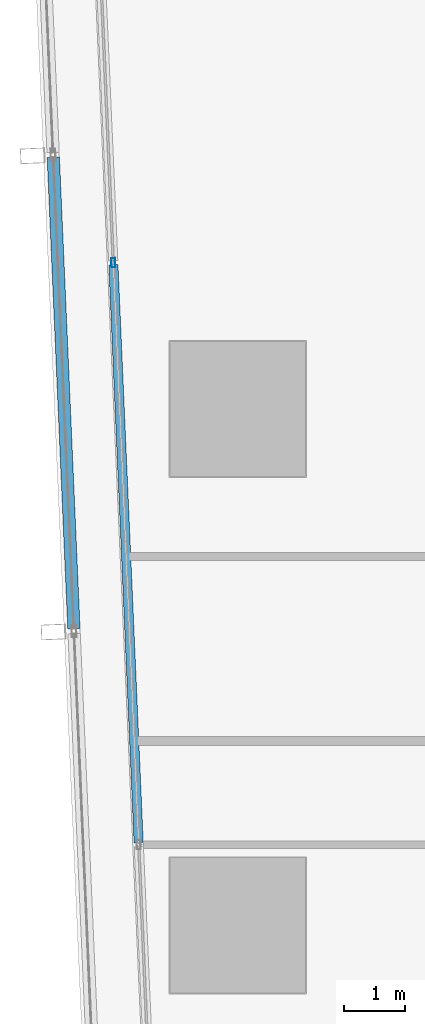
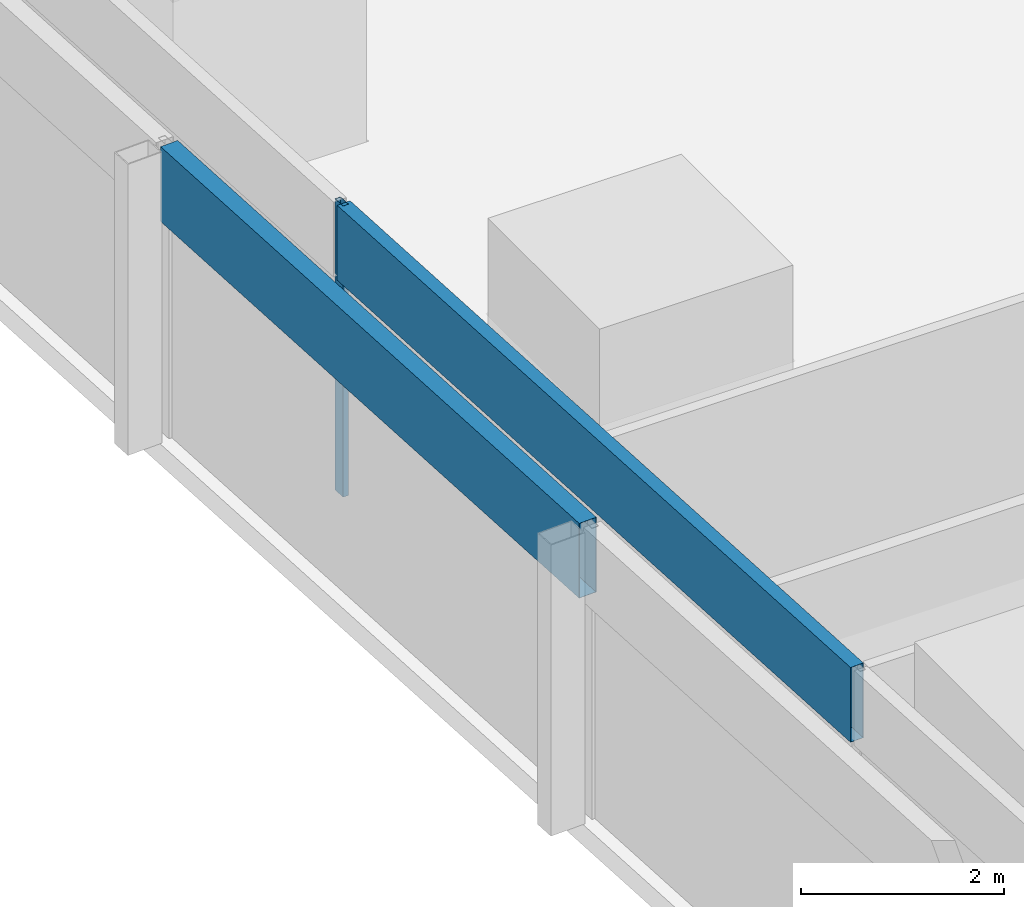
# One storey, part 8 of 44: 3 members, 2 elements without a shape of their own.
"""IFC4 building model written with IfcOpenShell, lengths in metres."""

from ifc_helpers import new_model, si_unit, direction, frame, origin, origin_2d, place, context, subcontext, project, spatial, hollow_rectangle, extrude, material, material_profile, profile_set, type_object, element, aggregate, save


model = new_model("IFC4")

# Units and contexts
model_context = context("Model", 3, precision=1e-05, world=origin(), true_north=direction((0.0, 1.0)))
body_context = subcontext(model_context, "Body", "Model", "MODEL_VIEW")
ifc_project = project(units=[si_unit("LENGTHUNIT", "METRE"), si_unit("AREAUNIT", "SQUARE_METRE"), si_unit("VOLUMEUNIT", "CUBIC_METRE"), si_unit("PLANEANGLEUNIT", "RADIAN"), si_unit("MASSUNIT", "GRAM", prefix="KILO")], contexts=[model_context])

# Site, building, storey
site_placement = place(None, origin())
site = spatial("IfcSite", under=ifc_project, at=site_placement, CompositionType="ELEMENT")
building_placement = place(site_placement, origin())
building = spatial("IfcBuilding", under=site, at=building_placement, Name="Rekha Terrace Tower", CompositionType="ELEMENT")
storey_placement = place(building_placement, frame((0.0, 0.0, 66.64990234375)))
storey = spatial("IfcBuildingStorey", under=building, at=storey_placement, Name="L16", CompositionType="ELEMENT", Elevation=66.64990234375)

# Curtain wall, members
ifc_material_1 = material(Name="Aluminium framing", Category="aluminium")
curtain_wall_type_1 = type_object("IfcCurtainWallType", Name="CW1 double skin inner glazing", PredefinedType="USERDEFINED", material=ifc_material_1)
curtain_wall_1_placement = place(storey_placement, origin())
curtain_wall_1 = element("IfcCurtainWall", 1, at=curtain_wall_1_placement, inside=storey, type_object=curtain_wall_type_1, Name="CW1 double skin inner glazing", ObjectType="DOUBLE SKIN INNER GLAZING", PredefinedType="USERDEFINED")
ifc_material_2 = material(Name="Aluminium mullion section", Category="aluminium")
ifc_material_profile_1 = material_profile(ifc_material_2, hollow_rectangle(XDim=0.06494140625, YDim=0.14990234375, WallThickness=0.00390625, at=origin_2d()), Name="AL RHS 65x150")
ifc_profile_set_1 = profile_set([ifc_material_profile_1], Name="Aluminium mullion section")
member_type_1 = type_object("IfcMemberType", Name="CW1 mullion RHS 65 x 150", PredefinedType="MULLION", material=ifc_profile_set_1)
member_1_placement = place(storey_placement, frame((6.37646484375, 35.978271484375, 0.0), z_axis=(0.0, 0.0, 1.0), x_axis=(0.999045462133, 0.043682543337, 0.0)))
member_1 = element("IfcMember", 2, at=member_1_placement, type_object=member_type_1, Name="CW1 mullion 2", PredefinedType="MULLION", context=body_context, shape_type="SweptSolid", body=[
    extrude(hollow_rectangle(XDim=0.06494140625, YDim=0.14990234375, WallThickness=0.00390625, at=origin_2d()), origin(), (0.0, 0.0, 1.0), 3.5),
])
ifc_material_3 = material(Name="Insulated aluminium spandrel box", Category="aluminium")
ifc_material_profile_2 = material_profile(ifc_material_3, hollow_rectangle(XDim=0.14990234375, YDim=0.89990234375, WallThickness=0.0029296875, at=origin_2d()), Name="AL SPANDREL BOX 150x900")
ifc_profile_set_2 = profile_set([ifc_material_profile_2], Name="Insulated aluminium spandrel box")
member_type_2 = type_object("IfcMemberType", Name="CW1 spandrel transom 150 x 900", PredefinedType="USERDEFINED", material=ifc_profile_set_2)
member_2_placement = place(storey_placement, frame((6.3779296875, 35.94580078125, 3.050048828125), z_axis=(0.043666917606, -0.999046145234, 0.0), x_axis=(0.999046145234, 0.043666917606, 0.0)))
member_2 = element("IfcMember", 3, at=member_2_placement, type_object=member_type_2, Name="CW1 spandrel transom 2", ObjectType="TRANSOM", PredefinedType="USERDEFINED", context=body_context, shape_type="SweptSolid", body=[
    extrude(hollow_rectangle(XDim=0.14990234375, YDim=0.89990234375, WallThickness=0.0029296875, at=origin_2d()), origin(), (0.0, 0.0, 1.0), 9.40966796875),
])
aggregate(curtain_wall_1, [member_1, member_2])

# Curtain wall, member
curtain_wall_type_2 = type_object("IfcCurtainWallType", Name="CW2 double skin outer glazing", PredefinedType="USERDEFINED", material=ifc_material_1)
curtain_wall_2_placement = place(storey_placement, origin())
curtain_wall_2 = element("IfcCurtainWall", 4, at=curtain_wall_2_placement, inside=storey, type_object=curtain_wall_type_2, Name="CW2 double skin outer glazing", ObjectType="DOUBLE SKIN OUTER GLAZING", PredefinedType="USERDEFINED")
ifc_material_profile_3 = material_profile(ifc_material_3, hollow_rectangle(XDim=0.199951171875, YDim=0.89990234375, WallThickness=0.0029296875, at=origin_2d()), Name="AL SPANDREL BOX 200x900")
ifc_profile_set_3 = profile_set([ifc_material_profile_3], Name="Insulated aluminium spandrel box")
member_type_3 = type_object("IfcMemberType", Name="CW2 spandrel transom 200 x 900", PredefinedType="USERDEFINED", material=ifc_profile_set_3)
member_3_placement = place(storey_placement, frame((5.400634765625, 37.690185546875, 3.050048828125), z_axis=(0.04369270591, -0.99904501773, 0.0), x_axis=(0.99904501773, 0.04369270591, 0.0)))
member_3 = element("IfcMember", 5, at=member_3_placement, type_object=member_type_3, Name="CW2 spandrel transom 2", ObjectType="TRANSOM", PredefinedType="USERDEFINED", context=body_context, shape_type="SweptSolid", body=[
    extrude(hollow_rectangle(XDim=0.199951171875, YDim=0.89990234375, WallThickness=0.0029296875, at=origin_2d()), origin(), (0.0, 0.0, 1.0), 7.671875),
])
aggregate(curtain_wall_2, [member_3])

save(model, "model.ifc")
